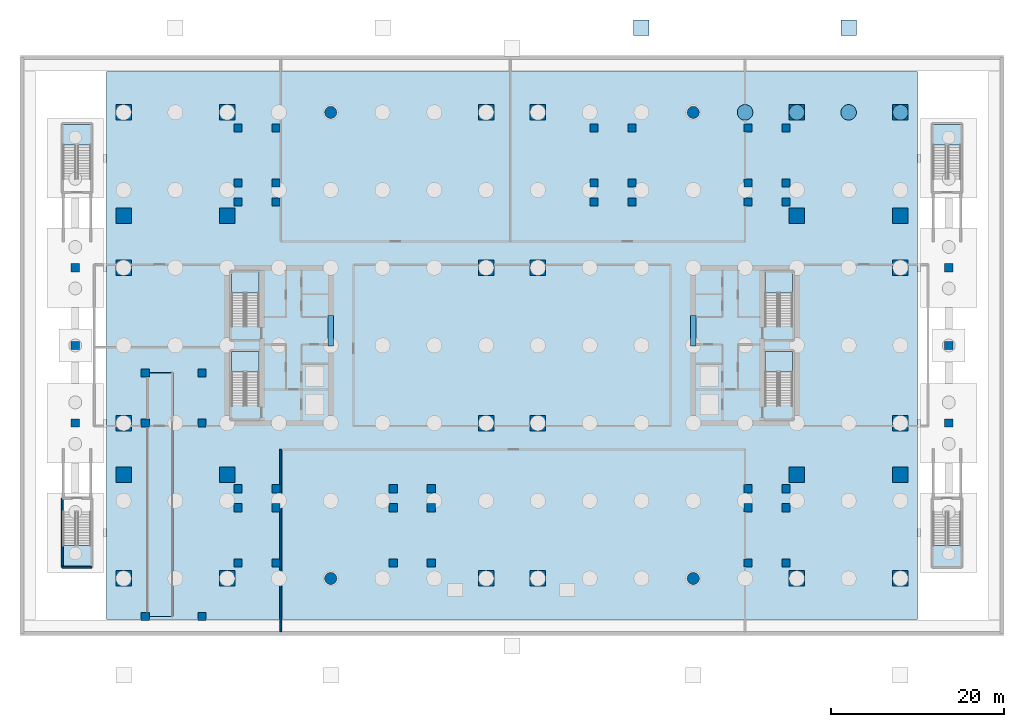
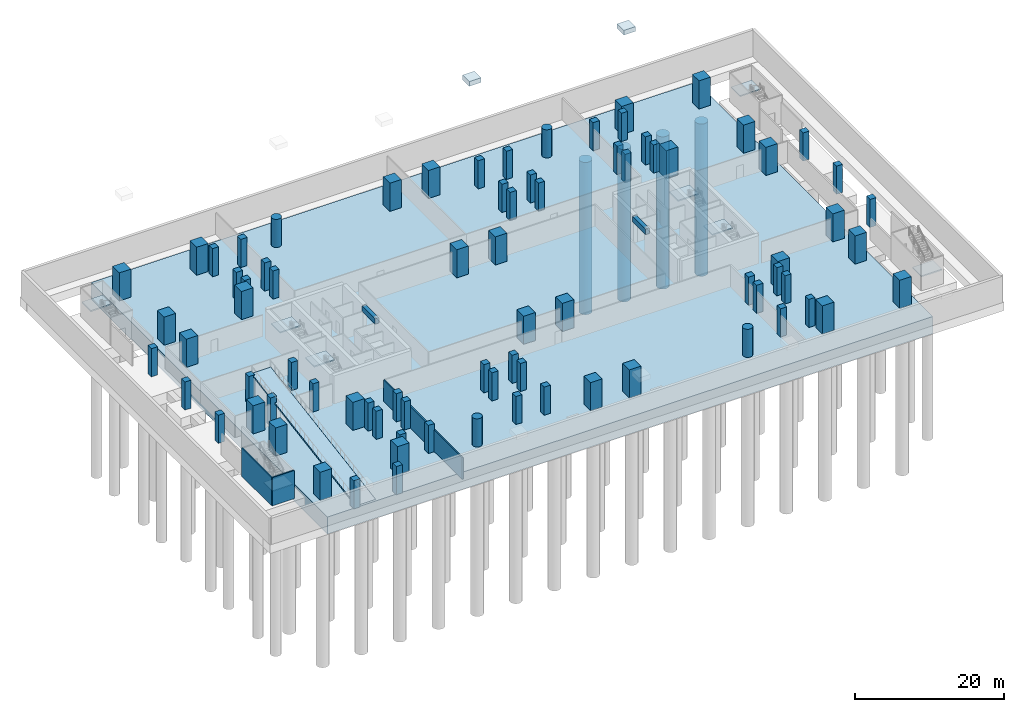
# One storey, part 2 of 14: 80 columns, 10 slabs, 4 piles, 3 walls, 2 beams, 2 footings, 8 elements without a shape of their own.
"""IFC4 building model written with IfcOpenShell, lengths in metres."""

from ifc_helpers import new_model, si_unit, direction, frame, frame_2d, origin, origin_2d, place, context, subcontext, project, spatial, polyline, rectangle, circle, outline, extrude, material, layer, layer_set, material_profile, profile_set, type_object, element, aggregate, save


model = new_model("IFC4")

# Units and contexts
model_context = context("Model", 3, precision=1e-05, world=origin(), true_north=direction((0.0, 1.0)))
body_context = subcontext(model_context, "Body", "Model", "MODEL_VIEW")
ifc_project = project(units=[si_unit("LENGTHUNIT", "METRE"), si_unit("AREAUNIT", "SQUARE_METRE"), si_unit("VOLUMEUNIT", "CUBIC_METRE"), si_unit("PLANEANGLEUNIT", "RADIAN"), si_unit("MASSUNIT", "GRAM", prefix="KILO")], contexts=[model_context])

# Site, building, storey
site_placement = place(None, origin())
site = spatial("IfcSite", under=ifc_project, at=site_placement, CompositionType="ELEMENT")
building_placement = place(site_placement, origin())
building = spatial("IfcBuilding", under=site, at=building_placement, Name="Tanjung Sevakor Pilgrim Tower", CompositionType="ELEMENT")
storey_placement = place(building_placement, frame((0.0, 0.0, -9.239990234375)))
storey = spatial("IfcBuildingStorey", under=building, at=storey_placement, Name="B02", CompositionType="ELEMENT", Elevation=-9.239990234375)

# Footings
ifc_material_1 = material(Name="Concrete C50/60", Category="concrete")
footing_type = type_object("IfcFootingType", Name="FT-PAD-A", PredefinedType="PAD_FOOTING", material=ifc_material_1)
footing_1_placement = place(storey_placement, frame((0.0, 0.0, 8.2900390625)))
element("IfcFooting", 1, at=footing_1_placement, inside=storey, type_object=footing_type, Name="B01 Plaza Edge Pad Footing N4", PredefinedType="PAD_FOOTING", context=body_context, shape_type="SweptSolid", body=[
    extrude(outline(polyline([(71.10009765625, 69.5), (72.89990234375, 69.5), (72.89990234375, 71.300048828125), (71.10009765625, 71.300048828125), (71.10009765625, 69.5)])), origin(), (0.0, 0.0, 1.0), 0.77001953125),
])
footing_2_placement = place(storey_placement, frame((0.0, 0.0, 8.2900390625)))
element("IfcFooting", 2, at=footing_2_placement, inside=storey, type_object=footing_type, Name="B01 Plaza Edge Pad Footing N5", PredefinedType="PAD_FOOTING", context=body_context, shape_type="SweptSolid", body=[
    extrude(outline(polyline([(95.10009765625, 69.5), (96.89990234375, 69.5), (96.89990234375, 71.300048828125), (95.10009765625, 71.300048828125), (95.10009765625, 69.5)])), origin(), (0.0, 0.0, 1.0), 0.77001953125),
])

# Piles
ifc_material_2 = material(Name="Concrete C50/60", Category="concrete")
ifc_material_profile_1 = material_profile(ifc_material_2, circle(Radius=0.89990234375, at=origin_2d()))
ifc_profile_set_1 = profile_set([ifc_material_profile_1], Name="Concrete C50/60")
pile_type = type_object("IfcPileType", Name="PL-BORED-1800", PredefinedType="BORED", material=ifc_profile_set_1)
for number, where, z_axis, x_axis, name in (
    (3, (84.0, 60.60009765625, -2.699951171875), (0.0, 0.0, -1.0), (1.0, 0.0, 0.0), "Raft Bored Pile 091"),
    (4, (90.0, 60.60009765625, -2.699951171875), (0.0, 0.0, -1.0), (1.0, 0.0, 0.0), "Raft Bored Pile 098"),
    (5, (96.0, 60.60009765625, -2.699951171875), (0.0, 0.0, -1.0), (1.0, 0.0, 0.0), "Raft Bored Pile 105"),
    (6, (102.0, 60.60009765625, -2.699951171875), (0.0, 0.0, -1.0), (1.0, 0.0, 0.0), "Raft Bored Pile 112"),
):
    element("IfcPile", number, at=place(storey_placement, frame(where, z_axis=z_axis, x_axis=x_axis)), inside=storey, type_object=pile_type, Name=name, PredefinedType="BORED", context=body_context, shape_type="SweptSolid", body=[
        extrude(circle(Radius=0.89990234375, at=origin_2d()), origin(), (0.0, 0.0, 1.0), 25.0),
    ])

# Columns
ifc_material_3 = material(Name="Concrete C60/75", Category="concrete")
ifc_material_profile_2 = material_profile(ifc_material_3, circle(Radius=0.699951171875, at=origin_2d()))
ifc_profile_set_2 = profile_set([ifc_material_profile_2], Name="Concrete C60/75")
column_type_1 = type_object("IfcColumnType", Name="COL-C-D1400-RC-COL_D1400", PredefinedType="COLUMN", material=ifc_profile_set_2)
for number, where, z_axis, x_axis, name in (
    (7, (36.0, 6.60009765625, 0.0), (0.0, 0.0, 1.0), (1.0, 0.0, 0.0), "B02 Column MC-036-066"),
    (8, (36.0, 60.60009765625, 0.0), (0.0, 0.0, 1.0), (1.0, 0.0, 0.0), "B02 Column MC-036-606"),
    (9, (78.0, 6.60009765625, 0.0), (0.0, 0.0, 1.0), (1.0, 0.0, 0.0), "B02 Column MC-078-066"),
    (10, (78.0, 60.60009765625, 0.0), (0.0, 0.0, 1.0), (1.0, 0.0, 0.0), "B02 Column MC-078-606"),
):
    element("IfcColumn", number, at=place(storey_placement, frame(where, z_axis=z_axis, x_axis=x_axis)), inside=storey, type_object=column_type_1, Name=name, PredefinedType="COLUMN", context=body_context, shape_type="SweptSolid", body=[
        extrude(circle(Radius=0.699951171875, at=origin_2d()), origin(), (0.0, 0.0, 1.0), 4.619873046875),
    ])
ifc_material_4 = material(Name="Concrete C60/75", Category="concrete")
ifc_material_profile_3 = material_profile(ifc_material_4, rectangle(XDim=1.800048828125, YDim=1.800048828125, at=origin_2d()))
ifc_profile_set_3 = profile_set([ifc_material_profile_3], Name="Concrete C60/75")
column_type_2 = type_object("IfcColumnType", Name="COL-C-M1800-RC_1800x1800", PredefinedType="COLUMN", material=ifc_profile_set_3)
for number, where, z_axis, x_axis, name in (
    (11, (12.0, 6.60009765625, 0.0), (0.0, 0.0, 1.0), (1.0, 0.0, 0.0), "B02 Column MC-012-066"),
    (12, (12.0, 24.60009765625, 0.0), (0.0, 0.0, 1.0), (1.0, 0.0, 0.0), "B02 Column MC-012-246"),
    (13, (12.0, 42.60009765625, 0.0), (0.0, 0.0, 1.0), (1.0, 0.0, 0.0), "B02 Column MC-012-426"),
    (14, (12.0, 60.60009765625, 0.0), (0.0, 0.0, 1.0), (1.0, 0.0, 0.0), "B02 Column MC-012-606"),
    (15, (24.0, 6.60009765625, 0.0), (0.0, 0.0, 1.0), (1.0, 0.0, 0.0), "B02 Column MC-024-066"),
    (16, (24.0, 60.60009765625, 0.0), (0.0, 0.0, 1.0), (1.0, 0.0, 0.0), "B02 Column MC-024-606"),
    (17, (54.0, 6.60009765625, 0.0), (0.0, 0.0, 1.0), (1.0, 0.0, 0.0), "B02 Column MC-054-066"),
    (18, (54.0, 24.60009765625, 0.0), (0.0, 0.0, 1.0), (1.0, 0.0, 0.0), "B02 Column MC-054-246"),
    (19, (54.0, 42.60009765625, 0.0), (0.0, 0.0, 1.0), (1.0, 0.0, 0.0), "B02 Column MC-054-426"),
    (20, (54.0, 60.60009765625, 0.0), (0.0, 0.0, 1.0), (1.0, 0.0, 0.0), "B02 Column MC-054-606"),
    (21, (60.0, 6.60009765625, 0.0), (0.0, 0.0, 1.0), (1.0, 0.0, 0.0), "B02 Column MC-060-066"),
    (22, (60.0, 24.60009765625, 0.0), (0.0, 0.0, 1.0), (1.0, 0.0, 0.0), "B02 Column MC-060-246"),
    (23, (60.0, 42.60009765625, 0.0), (0.0, 0.0, 1.0), (1.0, 0.0, 0.0), "B02 Column MC-060-426"),
    (24, (60.0, 60.60009765625, 0.0), (0.0, 0.0, 1.0), (1.0, 0.0, 0.0), "B02 Column MC-060-606"),
    (25, (90.0, 6.60009765625, 0.0), (0.0, 0.0, 1.0), (1.0, 0.0, 0.0), "B02 Column MC-090-066"),
    (26, (90.0, 60.60009765625, 0.0), (0.0, 0.0, 1.0), (1.0, 0.0, 0.0), "B02 Column MC-090-606"),
    (27, (102.0, 6.60009765625, 0.0), (0.0, 0.0, 1.0), (1.0, 0.0, 0.0), "B02 Column MC-102-066"),
    (28, (102.0, 24.60009765625, 0.0), (0.0, 0.0, 1.0), (1.0, 0.0, 0.0), "B02 Column MC-102-246"),
    (29, (102.0, 42.60009765625, 0.0), (0.0, 0.0, 1.0), (1.0, 0.0, 0.0), "B02 Column MC-102-426"),
    (30, (102.0, 60.60009765625, 0.0), (0.0, 0.0, 1.0), (1.0, 0.0, 0.0), "B02 Column MC-102-606"),
    (31, (12.0, 18.60009765625, 0.0), (0.0, 0.0, 1.0), (1.0, 0.0, 0.0), "B02 Column MCE-012-186"),
    (32, (12.0, 48.60009765625, 0.0), (0.0, 0.0, 1.0), (1.0, 0.0, 0.0), "B02 Column MCE-012-486"),
    (33, (24.0, 18.60009765625, 0.0), (0.0, 0.0, 1.0), (1.0, 0.0, 0.0), "B02 Column MCE-024-186"),
    (34, (24.0, 48.60009765625, 0.0), (0.0, 0.0, 1.0), (1.0, 0.0, 0.0), "B02 Column MCE-024-486"),
    (35, (90.0, 18.60009765625, 0.0), (0.0, 0.0, 1.0), (1.0, 0.0, 0.0), "B02 Column MCE-090-186"),
    (36, (90.0, 48.60009765625, 0.0), (0.0, 0.0, 1.0), (1.0, 0.0, 0.0), "B02 Column MCE-090-486"),
    (37, (102.0, 18.60009765625, 0.0), (0.0, 0.0, 1.0), (1.0, 0.0, 0.0), "B02 Column MCE-102-186"),
    (38, (102.0, 48.60009765625, 0.0), (0.0, 0.0, 1.0), (1.0, 0.0, 0.0), "B02 Column MCE-102-486"),
):
    element("IfcColumn", number, at=place(storey_placement, frame(where, z_axis=z_axis, x_axis=x_axis)), inside=storey, type_object=column_type_2, Name=name, PredefinedType="COLUMN", context=body_context, shape_type="SweptSolid", body=[
        extrude(rectangle(XDim=1.800048828125, YDim=1.800048828125, at=origin_2d()), origin(), (0.0, 0.0, 1.0), 4.619873046875),
    ])
ifc_material_5 = material(Name="Concrete C60/75", Category="concrete")
ifc_material_profile_4 = material_profile(ifc_material_5, rectangle(XDim=0.949951171875, YDim=0.949951171875, at=origin_2d()))
ifc_profile_set_4 = profile_set([ifc_material_profile_4], Name="Concrete C60/75")
column_type_3 = type_object("IfcColumnType", Name="COL-C-T950-RC_950x950", PredefinedType="COLUMN", material=ifc_profile_set_4)
for number, where, z_axis, x_axis, name in (
    (39, (6.39990234375, 24.60009765625, 0.0), (0.0, 0.0, 1.0), (1.0, 0.0, 0.0), "B02 Stair Frame Column W2"),
    (40, (6.39990234375, 42.60009765625, 0.0), (0.0, 0.0, 1.0), (1.0, 0.0, 0.0), "B02 Stair Frame Column W3"),
    (41, (6.39990234375, 33.60009765625, 0.0), (0.0, 0.0, 1.0), (1.0, 0.0, 0.0), "B02 Stair Frame Column W5"),
    (42, (107.60009765625, 24.60009765625, 0.0), (0.0, 0.0, 1.0), (1.0, 0.0, 0.0), "B02 Stair Frame Column E2"),
    (43, (107.60009765625, 42.60009765625, 0.0), (0.0, 0.0, 1.0), (1.0, 0.0, 0.0), "B02 Stair Frame Column E3"),
    (44, (107.60009765625, 33.60009765625, 0.0), (0.0, 0.0, 1.0), (1.0, 0.0, 0.0), "B02 Stair Frame Column E5"),
    (45, (14.5, 2.199951171875, 0.0), (0.0, 0.0, 1.0), (1.0, 0.0, 0.0), "B02 Stair Frame Column RMP1"),
    (46, (21.10009765625, 2.199951171875, 0.0), (0.0, 0.0, 1.0), (1.0, 0.0, 0.0), "B02 Stair Frame Column RMP2"),
    (47, (14.5, 30.39990234375, 0.0), (0.0, 0.0, 1.0), (1.0, 0.0, 0.0), "B02 Stair Frame Column RMP3"),
    (48, (21.10009765625, 30.39990234375, 0.0), (0.0, 0.0, 1.0), (1.0, 0.0, 0.0), "B02 Stair Frame Column RMP4"),
    (49, (14.5, 24.60009765625, 0.0), (0.0, 0.0, 1.0), (1.0, 0.0, 0.0), "B02 Stair Frame Column RMPY1"),
    (50, (21.10009765625, 24.60009765625, 0.0), (0.0, 0.0, 1.0), (1.0, 0.0, 0.0), "B02 Stair Frame Column RMPY2"),
    (51, (25.25, 14.800048828125, 0.0), (0.0, 0.0, 1.0), (1.0, 0.0, 0.0), "B02 Stair Frame Column PS1P1"),
    (52, (29.64990234375, 14.800048828125, 0.0), (0.0, 0.0, 1.0), (1.0, 0.0, 0.0), "B02 Stair Frame Column PS1P2"),
    (53, (25.25, 8.39990234375, 0.0), (0.0, 0.0, 1.0), (1.0, 0.0, 0.0), "B02 Stair Frame Column PS1P3"),
    (54, (29.64990234375, 8.39990234375, 0.0), (0.0, 0.0, 1.0), (1.0, 0.0, 0.0), "B02 Stair Frame Column PS1P4"),
    (55, (29.64990234375, 17.0, 0.0), (0.0, 0.0, 1.0), (1.0, 0.0, 0.0), "B02 Stair Frame Column PS1P5"),
    (56, (25.25, 17.0, 0.0), (0.0, 0.0, 1.0), (1.0, 0.0, 0.0), "B02 Stair Frame Column PS1P6"),
    (57, (25.25, 52.39990234375, 0.0), (0.0, 0.0, 1.0), (1.0, 0.0, 0.0), "B02 Stair Frame Column PS2P1"),
    (58, (29.64990234375, 52.39990234375, 0.0), (0.0, 0.0, 1.0), (1.0, 0.0, 0.0), "B02 Stair Frame Column PS2P2"),
    (59, (25.25, 50.199951171875, 0.0), (0.0, 0.0, 1.0), (1.0, 0.0, 0.0), "B02 Stair Frame Column PS2P3"),
    (60, (29.64990234375, 50.199951171875, 0.0), (0.0, 0.0, 1.0), (1.0, 0.0, 0.0), "B02 Stair Frame Column PS2P4"),
    (61, (29.64990234375, 58.800048828125, 0.0), (0.0, 0.0, 1.0), (1.0, 0.0, 0.0), "B02 Stair Frame Column PS2P5"),
    (62, (25.25, 58.800048828125, 0.0), (0.0, 0.0, 1.0), (1.0, 0.0, 0.0), "B02 Stair Frame Column PS2P6"),
    (63, (43.25, 14.800048828125, 0.0), (0.0, 0.0, 1.0), (1.0, 0.0, 0.0), "B02 Stair Frame Column PS3P1"),
    (64, (47.64990234375, 14.800048828125, 0.0), (0.0, 0.0, 1.0), (1.0, 0.0, 0.0), "B02 Stair Frame Column PS3P2"),
    (65, (43.25, 8.39990234375, 0.0), (0.0, 0.0, 1.0), (1.0, 0.0, 0.0), "B02 Stair Frame Column PS3P3"),
    (66, (47.64990234375, 8.39990234375, 0.0), (0.0, 0.0, 1.0), (1.0, 0.0, 0.0), "B02 Stair Frame Column PS3P4"),
    (67, (47.64990234375, 17.0, 0.0), (0.0, 0.0, 1.0), (1.0, 0.0, 0.0), "B02 Stair Frame Column PS3P5"),
    (68, (43.25, 17.0, 0.0), (0.0, 0.0, 1.0), (1.0, 0.0, 0.0), "B02 Stair Frame Column PS3P6"),
    (69, (66.5, 52.39990234375, 0.0), (0.0, 0.0, 1.0), (1.0, 0.0, 0.0), "B02 Stair Frame Column PS4P1"),
    (70, (70.89990234375, 52.39990234375, 0.0), (0.0, 0.0, 1.0), (1.0, 0.0, 0.0), "B02 Stair Frame Column PS4P2"),
    (71, (66.5, 50.199951171875, 0.0), (0.0, 0.0, 1.0), (1.0, 0.0, 0.0), "B02 Stair Frame Column PS4P3"),
    (72, (70.89990234375, 50.199951171875, 0.0), (0.0, 0.0, 1.0), (1.0, 0.0, 0.0), "B02 Stair Frame Column PS4P4"),
    (73, (70.89990234375, 58.800048828125, 0.0), (0.0, 0.0, 1.0), (1.0, 0.0, 0.0), "B02 Stair Frame Column PS4P5"),
    (74, (66.5, 58.800048828125, 0.0), (0.0, 0.0, 1.0), (1.0, 0.0, 0.0), "B02 Stair Frame Column PS4P6"),
    (75, (84.35009765625, 14.800048828125, 0.0), (0.0, 0.0, 1.0), (1.0, 0.0, 0.0), "B02 Stair Frame Column PS5P1"),
    (76, (88.75, 14.800048828125, 0.0), (0.0, 0.0, 1.0), (1.0, 0.0, 0.0), "B02 Stair Frame Column PS5P2"),
    (77, (84.35009765625, 8.39990234375, 0.0), (0.0, 0.0, 1.0), (1.0, 0.0, 0.0), "B02 Stair Frame Column PS5P3"),
    (78, (88.75, 8.39990234375, 0.0), (0.0, 0.0, 1.0), (1.0, 0.0, 0.0), "B02 Stair Frame Column PS5P4"),
    (79, (88.75, 17.0, 0.0), (0.0, 0.0, 1.0), (1.0, 0.0, 0.0), "B02 Stair Frame Column PS5P5"),
    (80, (84.35009765625, 17.0, 0.0), (0.0, 0.0, 1.0), (1.0, 0.0, 0.0), "B02 Stair Frame Column PS5P6"),
    (81, (84.35009765625, 52.39990234375, 0.0), (0.0, 0.0, 1.0), (1.0, 0.0, 0.0), "B02 Stair Frame Column PS6P1"),
    (82, (88.75, 52.39990234375, 0.0), (0.0, 0.0, 1.0), (1.0, 0.0, 0.0), "B02 Stair Frame Column PS6P2"),
    (83, (84.35009765625, 50.199951171875, 0.0), (0.0, 0.0, 1.0), (1.0, 0.0, 0.0), "B02 Stair Frame Column PS6P3"),
    (84, (88.75, 50.199951171875, 0.0), (0.0, 0.0, 1.0), (1.0, 0.0, 0.0), "B02 Stair Frame Column PS6P4"),
    (85, (88.75, 58.800048828125, 0.0), (0.0, 0.0, 1.0), (1.0, 0.0, 0.0), "B02 Stair Frame Column PS6P5"),
    (86, (84.35009765625, 58.800048828125, 0.0), (0.0, 0.0, 1.0), (1.0, 0.0, 0.0), "B02 Stair Frame Column PS6P6"),
):
    element("IfcColumn", number, at=place(storey_placement, frame(where, z_axis=z_axis, x_axis=x_axis)), inside=storey, type_object=column_type_3, Name=name, PredefinedType="COLUMN", context=body_context, shape_type="SweptSolid", body=[
        extrude(rectangle(XDim=0.949951171875, YDim=0.949951171875, at=origin_2d()), origin(), (0.0, 0.0, 1.0), 4.619873046875),
    ])

# Beams
ifc_material_6 = material(Name="Concrete C60/75", Category="concrete")
ifc_material_profile_5 = material_profile(ifc_material_6, rectangle(XDim=0.60009765625, YDim=0.89990234375, at=origin_2d()))
ifc_profile_set_5 = profile_set([ifc_material_profile_5], Name="Concrete C60/75")
beam_type = type_object("IfcBeamType", Name="BM-B-LN1-RC-BM_600x900", PredefinedType="LINTEL", material=ifc_profile_set_5)
for number, where, z_axis, x_axis, name in (
    (87, (36.0, 33.550048828125, 3.869873046875), (0.0, 1.0, 0.0), (-1.0, 0.0, 0.0), "B02 W Core Coupling Lintel"),
    (88, (78.0, 33.550048828125, 3.869873046875), (0.0, 1.0, 0.0), (-1.0, 0.0, 0.0), "B02 E Core Coupling Lintel"),
):
    element("IfcBeam", number, at=place(storey_placement, frame(where, z_axis=z_axis, x_axis=x_axis)), inside=storey, type_object=beam_type, Name=name, PredefinedType="LINTEL", context=body_context, shape_type="SweptSolid", body=[
        extrude(rectangle(XDim=0.60009765625, YDim=0.89990234375, at=origin_2d()), origin(), (0.0, 0.0, 1.0), 3.5),
    ])

# Stair, slab
ifc_material_7 = material(Name="Concrete C40/50", Category="concrete")
stair_type_1 = type_object("IfcStairType", Name="STAIR-ST-CR150", PredefinedType="HALF_TURN_STAIR", material=ifc_material_7)
stair_1_placement = place(storey_placement, origin())
stair_1 = element("IfcStair", 89, at=stair_1_placement, inside=storey, type_object=stair_type_1, Name="B02 West Core Exit Stair 1", PredefinedType="HALF_TURN_STAIR")
ifc_material_8 = material(Name="Concrete C40/50", Category="concrete")
ifc_layer_1 = layer(ifc_material_8, 0.199951171875)
ifc_layer_set_1 = layer_set([ifc_layer_1], Name="SL-LAND-200")
slab_type_1 = type_object("IfcSlabType", Name="SL-LAND-200", PredefinedType="LANDING", material=ifc_layer_set_1)
slab_1_placement = place(storey_placement, frame((0.0, 0.0, 2.110107421875)))
slab_1 = element("IfcSlab", 90, at=slab_1_placement, type_object=slab_type_1, Name="TS-W1 landing 1", PredefinedType="LANDING", context=body_context, shape_type="SweptSolid", body=[
    extrude(outline(polyline([(27.699951171875, 30.5), (27.699951171875, 32.89990234375), (24.5, 32.89990234375), (24.5, 30.5), (27.699951171875, 30.5)])), origin(), (0.0, 0.0, 1.0), 0.199951171875),
])
aggregate(stair_1, [slab_1])

stair_2_placement = place(storey_placement, origin())
stair_2 = element("IfcStair", 91, at=stair_2_placement, inside=storey, type_object=stair_type_1, Name="B02 West Core Exit Stair 2", PredefinedType="HALF_TURN_STAIR")
slab_2_placement = place(storey_placement, frame((0.0, 0.0, 2.110107421875)))
slab_2 = element("IfcSlab", 92, at=slab_2_placement, type_object=slab_type_1, Name="TS-W2 landing 1", PredefinedType="LANDING", context=body_context, shape_type="SweptSolid", body=[
    extrude(outline(polyline([(27.699951171875, 39.699951171875), (27.699951171875, 42.10009765625), (24.5, 42.10009765625), (24.5, 39.699951171875), (27.699951171875, 39.699951171875)])), origin(), (0.0, 0.0, 1.0), 0.199951171875),
])
aggregate(stair_2, [slab_2])

stair_3_placement = place(storey_placement, origin())
stair_3 = element("IfcStair", 93, at=stair_3_placement, inside=storey, type_object=stair_type_1, Name="B02 East Core Exit Stair 1", PredefinedType="HALF_TURN_STAIR")
slab_3_placement = place(storey_placement, frame((0.0, 0.0, 2.110107421875)))
slab_3 = element("IfcSlab", 94, at=slab_3_placement, type_object=slab_type_1, Name="TS-E1 landing 1", PredefinedType="LANDING", context=body_context, shape_type="SweptSolid", body=[
    extrude(outline(polyline([(89.5, 30.5), (89.5, 32.89990234375), (86.300048828125, 32.89990234375), (86.300048828125, 30.5), (89.5, 30.5)])), origin(), (0.0, 0.0, 1.0), 0.199951171875),
])
aggregate(stair_3, [slab_3])

stair_4_placement = place(storey_placement, origin())
stair_4 = element("IfcStair", 95, at=stair_4_placement, inside=storey, type_object=stair_type_1, Name="B02 East Core Exit Stair 2", PredefinedType="HALF_TURN_STAIR")
slab_4_placement = place(storey_placement, frame((0.0, 0.0, 2.110107421875)))
slab_4 = element("IfcSlab", 96, at=slab_4_placement, type_object=slab_type_1, Name="TS-E2 landing 1", PredefinedType="LANDING", context=body_context, shape_type="SweptSolid", body=[
    extrude(outline(polyline([(89.5, 39.699951171875), (89.5, 42.10009765625), (86.300048828125, 42.10009765625), (86.300048828125, 39.699951171875), (89.5, 39.699951171875)])), origin(), (0.0, 0.0, 1.0), 0.199951171875),
])
aggregate(stair_4, [slab_4])

ifc_material_9 = material(Name="Concrete C40/50", Category="concrete")
stair_type_2 = type_object("IfcStairType", Name="STAIR-ST-BS150", PredefinedType="HALF_TURN_STAIR", material=ifc_material_9)
stair_5_placement = place(storey_placement, origin())
stair_5 = element("IfcStair", 97, at=stair_5_placement, inside=storey, type_object=stair_type_2, Name="B02 Basement South-West Exit Stair", PredefinedType="HALF_TURN_STAIR")
slab_5_placement = place(storey_placement, frame((0.0, 0.0, 2.110107421875)))
slab_5 = element("IfcSlab", 98, at=slab_5_placement, type_object=slab_type_1, Name="BS-1 landing 1", PredefinedType="LANDING", context=body_context, shape_type="SweptSolid", body=[
    extrude(outline(polyline([(5.0, 10.39990234375), (5.0, 8.0), (8.199951171875, 8.0), (8.199951171875, 10.39990234375), (5.0, 10.39990234375)])), origin(), (0.0, 0.0, 1.0), 0.199951171875),
])
aggregate(stair_5, [slab_5])

stair_6_placement = place(storey_placement, origin())
stair_6 = element("IfcStair", 99, at=stair_6_placement, inside=storey, type_object=stair_type_2, Name="B02 Basement North-West Exit Stair", PredefinedType="HALF_TURN_STAIR")
slab_6_placement = place(storey_placement, frame((0.0, 0.0, 2.110107421875)))
slab_6 = element("IfcSlab", 100, at=slab_6_placement, type_object=slab_type_1, Name="BS-2 landing 1", PredefinedType="LANDING", context=body_context, shape_type="SweptSolid", body=[
    extrude(outline(polyline([(8.199951171875, 56.800048828125), (8.199951171875, 59.199951171875), (5.0, 59.199951171875), (5.0, 56.800048828125), (8.199951171875, 56.800048828125)])), origin(), (0.0, 0.0, 1.0), 0.199951171875),
])
aggregate(stair_6, [slab_6])

stair_7_placement = place(storey_placement, origin())
stair_7 = element("IfcStair", 101, at=stair_7_placement, inside=storey, type_object=stair_type_2, Name="B02 Basement South-East Exit Stair", PredefinedType="HALF_TURN_STAIR")
slab_7_placement = place(storey_placement, frame((0.0, 0.0, 2.110107421875)))
slab_7 = element("IfcSlab", 102, at=slab_7_placement, type_object=slab_type_1, Name="BS-3 landing 1", PredefinedType="LANDING", context=body_context, shape_type="SweptSolid", body=[
    extrude(outline(polyline([(105.800048828125, 10.39990234375), (105.800048828125, 8.0), (109.0, 8.0), (109.0, 10.39990234375), (105.800048828125, 10.39990234375)])), origin(), (0.0, 0.0, 1.0), 0.199951171875),
])
aggregate(stair_7, [slab_7])

stair_8_placement = place(storey_placement, origin())
stair_8 = element("IfcStair", 103, at=stair_8_placement, inside=storey, type_object=stair_type_2, Name="B02 Basement North-East Exit Stair", PredefinedType="HALF_TURN_STAIR")
slab_8_placement = place(storey_placement, frame((0.0, 0.0, 2.110107421875)))
slab_8 = element("IfcSlab", 104, at=slab_8_placement, type_object=slab_type_1, Name="BS-4 landing 1", PredefinedType="LANDING", context=body_context, shape_type="SweptSolid", body=[
    extrude(outline(polyline([(109.0, 56.800048828125), (109.0, 59.199951171875), (105.800048828125, 59.199951171875), (105.800048828125, 56.800048828125), (109.0, 56.800048828125)])), origin(), (0.0, 0.0, 1.0), 0.199951171875),
])
aggregate(stair_8, [slab_8])

# Slabs
ifc_material_10 = material(Name="Concrete C50/60", Category="concrete")
ifc_layer_2 = layer(ifc_material_10, 2.800048828125)
ifc_layer_set_2 = layer_set([ifc_layer_2], Name="SL-RAFT-2800")
slab_type_2 = type_object("IfcSlabType", Name="SL-RAFT-2800", PredefinedType="BASESLAB", material=ifc_layer_set_2)
slab_9_placement = place(storey_placement, frame((0.0, 0.0, -2.800048828125)))
element("IfcSlab", 105, at=slab_9_placement, inside=storey, type_object=slab_type_2, Name="Piled Raft", PredefinedType="BASESLAB", context=body_context, shape_type="SweptSolid", body=[
    extrude(outline(polyline([(10.0, 1.85009765625), (104.0, 1.85009765625), (104.0, 65.35009765625), (10.0, 65.35009765625), (10.0, 1.85009765625)])), origin(), (0.0, 0.0, 1.0), 2.800048828125),
])
ifc_material_11 = material(Name="Concrete C40/50", Category="concrete")
ifc_material_12 = material(Name="Concrete C40/50", Category="concrete")
ifc_layer_3 = layer(ifc_material_12, 0.25)
ifc_layer_set_3 = layer_set([ifc_layer_3], Name="Concrete C40/50")
slab_type_3 = type_object("IfcSlabType", Name="SL-VRP-250", PredefinedType="FLOOR", material=ifc_layer_set_3)
slab_10_placement = place(storey_placement, frame((14.699951171875, 2.199951171875, 0.0), z_axis=(0.0, -0.16167041242, 0.986844809354), x_axis=(1.0, 0.0, 0.0)))
element("IfcSlab", 106, at=slab_10_placement, inside=storey, type_object=slab_type_3, material=ifc_material_11, Name="B02 Vehicle Access Ramp 1", PredefinedType="FLOOR", context=body_context, shape_type="SweptSolid", body=[
    extrude(outline(polyline([(0.0, 0.0), (3.0, 0.0), (3.0, 28.575872218803337), (0.0, 28.575872218803337), (0.0, 0.0)])), origin(), (0.0, 0.0, -1.0), 0.25),
])

# Walls
ifc_material_13 = material(Name="Concrete C40/50", Category="concrete")
ifc_layer_4 = layer(ifc_material_13, 0.199951171875)
ifc_layer_set_4 = layer_set([ifc_layer_4], Name="WT-FIRE-200")
wall_type_1 = type_object("IfcWallType", Name="WT-FIRE-200", PredefinedType="SOLIDWALL", material=ifc_layer_set_4)
wall_1_placement = place(storey_placement, frame((4.89990234375, 7.89990234375, 0.0), z_axis=(0.0, 0.0, 1.0), x_axis=(1.0, 0.0, 0.0)))
element("IfcWall", 107, at=wall_1_placement, inside=storey, type_object=wall_type_1, Name="B02 BS-1 Shaft Wall 1", PredefinedType="SOLIDWALL", context=body_context, shape_type="SweptSolid", body=[
    extrude(rectangle(XDim=3.400146484375, YDim=0.199951171875, at=frame_2d((1.7001953125, 0.0))), origin(), (0.0, 0.0, 1.0), 4.619873046875),
])
wall_2_placement = place(storey_placement, frame((4.89990234375, 15.89990234375, 0.0), z_axis=(0.0, 0.0, 1.0), x_axis=(0.0, -1.0, 0.0)))
element("IfcWall", 108, at=wall_2_placement, inside=storey, type_object=wall_type_1, Name="B02 BS-1 Shaft Wall 4", PredefinedType="SOLIDWALL", context=body_context, shape_type="SweptSolid", body=[
    extrude(rectangle(XDim=8.0, YDim=0.199951171875, at=frame_2d((4.0, 0.0))), origin(), (0.0, 0.0, 1.0), 4.619873046875),
])
ifc_material_14 = material(Name="Concrete C40/50", Category="concrete")
ifc_layer_5 = layer(ifc_material_14, 0.199951171875)
ifc_layer_set_5 = layer_set([ifc_layer_5], Name="WT-FPRT-200")
wall_type_2 = type_object("IfcWallType", Name="WT-FPRT-200", PredefinedType="SOLIDWALL", material=ifc_layer_set_5)
wall_3_placement = place(storey_placement, frame((30.199951171875, 0.449951171875, 0.0), z_axis=(0.0, 0.0, 1.0), x_axis=(0.0, 1.0, 0.0)))
element("IfcWall", 109, at=wall_3_placement, inside=storey, type_object=wall_type_2, Name="B02 Partition IW-B02-036", PredefinedType="SOLIDWALL", context=body_context, shape_type="SweptSolid", body=[
    extrude(rectangle(XDim=21.10009765625, YDim=0.199951171875, at=frame_2d((10.550048828125, 0.0))), origin(), (0.0, 0.0, 1.0), 3.5400390625),
])

save(model, "model.ifc")
